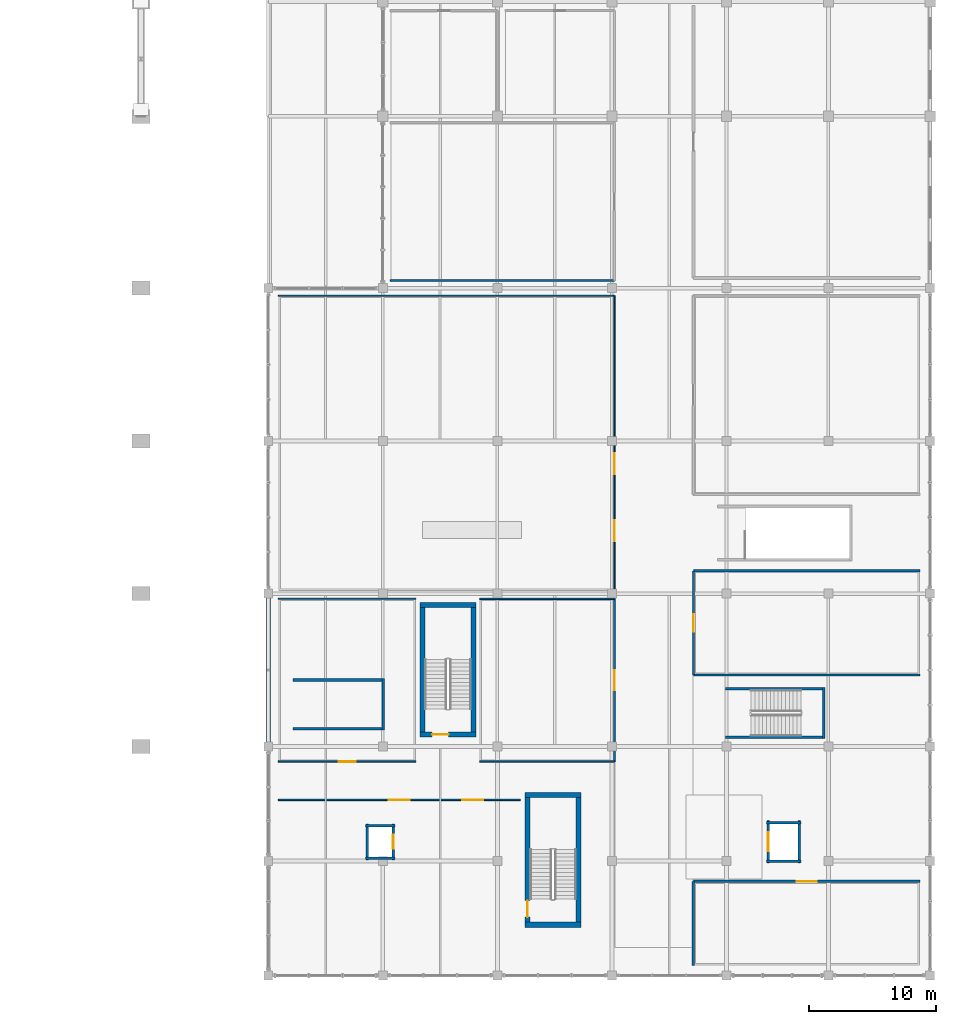
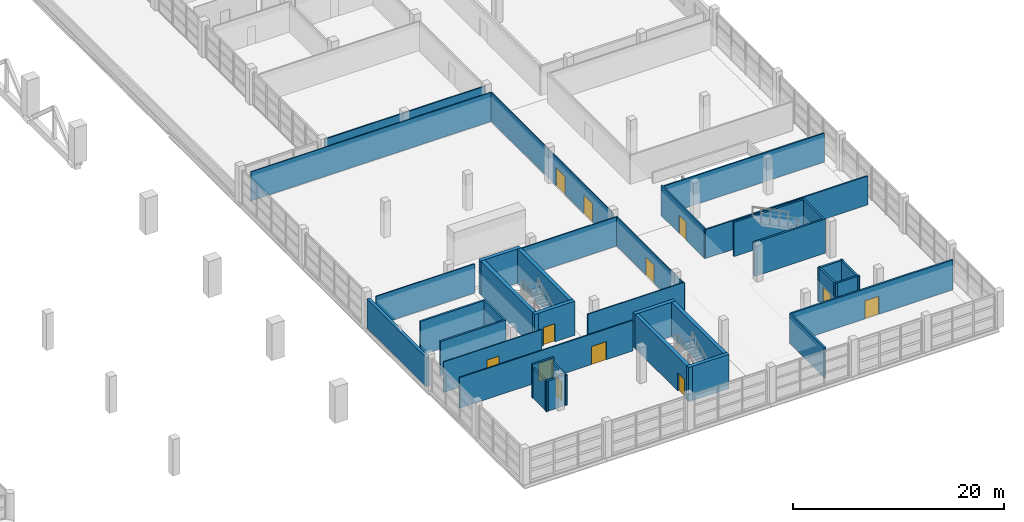
# One storey, part 120 of 136: 37 walls, 12 doors, 12 openings.
"""IFC4 building model written with IfcOpenShell, lengths in metres."""

import ifcopenshell
import ifcopenshell.guid

model = None  # the IFC model being written
_history = None  # IfcOwnerHistory: only IFC2X3 demands one
_inside = {}  # id of a spatial element -> (the spatial element, [elements in it])
_under = {}  # id of a project, library or spatial element -> (it, [spatial elements below it])
_declared = {}  # id of a project -> (the project, [libraries it declares])
_typed = {}  # id of a type object -> (the type object, [elements of that type])
_made_of = {}  # id of a material, layer set ... -> (it, [elements and type objects made of it])


def new_model(schema):
    """Start an empty IFC model of exactly this schema.

    Asked for "IFC4X3", IfcOpenShell would pick the latest addendum, in which some entities
    have other attributes; the version numbers below select the first issue.
    IFC2X3 requires an IfcOwnerHistory on every rooted entity: one is made here for all.
    """
    global model, _history
    if schema == "IFC4X3":
        model = ifcopenshell.file(schema_version=(4, 3, 0, 0))
    else:
        model = ifcopenshell.file(schema=schema)
    _inside.clear()
    _under.clear()
    _declared.clear()
    _typed.clear()
    _made_of.clear()
    _history = None
    if model.schema == "IFC2X3":
        org = make("IfcOrganization", Name="unknown")
        user = make(
            "IfcPersonAndOrganization",
            ThePerson=make("IfcPerson", FamilyName="unknown"),
            TheOrganization=org,
        )
        app = make(
            "IfcApplication",
            ApplicationDeveloper=org,
            Version="unknown",
            ApplicationFullName="unknown",
            ApplicationIdentifier="unknown",
        )
        _history = make(
            "IfcOwnerHistory",
            OwningUser=user,
            OwningApplication=app,
            ChangeAction="ADDED",
            CreationDate=0,
        )
    return model


def make(cls, **values):
    """One entity of the class cls with the attributes given. An attribute that is None is left unset."""
    return model.create_entity(
        cls, **{name: value for name, value in values.items() if value is not None}
    )


def rooted(cls, **values):
    """An entity with a GlobalId (a new one), such as an element, a storey or a relation."""
    return make(cls, GlobalId=ifcopenshell.guid.new(), OwnerHistory=_history, **values)


def si_unit(unit_type, name, prefix=None):
    """IfcSIUnit, for example si_unit("LENGTHUNIT", "METRE", prefix="MILLI")."""
    return make("IfcSIUnit", UnitType=unit_type, Prefix=prefix, Name=name)


def assignment(units):
    """IfcUnitAssignment: the units of a project."""
    return None if units is None else make("IfcUnitAssignment", Units=units)


def point(xyz):
    """IfcCartesianPoint."""
    return None if xyz is None else make("IfcCartesianPoint", Coordinates=xyz)


def direction(xyz):
    """IfcDirection."""
    return None if xyz is None else make("IfcDirection", DirectionRatios=xyz)


def frame(location, z_axis=None, x_axis=None):
    """IfcAxis2Placement3D, a coordinate frame: its origin and axes. An axis left out is left unset."""
    return make(
        "IfcAxis2Placement3D",
        Location=point(location),
        Axis=direction(z_axis),
        RefDirection=direction(x_axis),
    )


def frame_2d(location, x_axis=None):
    """IfcAxis2Placement2D, a coordinate frame in the plane: its origin and x axis."""
    return make(
        "IfcAxis2Placement2D", Location=point(location), RefDirection=direction(x_axis)
    )


def origin():
    """The frame at (0, 0, 0) with its axes left unset."""
    return frame((0.0, 0.0, 0.0))


def place(relative_to, where):
    """IfcLocalPlacement: puts the frame where relative to a parent placement (None: the world)."""
    return make(
        "IfcLocalPlacement", PlacementRelTo=relative_to, RelativePlacement=where
    )


def context(
    kind, dimensions, precision=None, world=None, true_north=None, identifier=None
):
    """IfcGeometricRepresentationContext, for example the 3D "Model" context."""
    return make(
        "IfcGeometricRepresentationContext",
        ContextIdentifier=identifier,
        ContextType=kind,
        CoordinateSpaceDimension=dimensions,
        Precision=precision,
        WorldCoordinateSystem=world,
        TrueNorth=true_north,
    )


def subcontext(parent, identifier, kind, view, scale=None):
    """IfcGeometricRepresentationSubContext, for example "Body" below "Model"."""
    return make(
        "IfcGeometricRepresentationSubContext",
        ContextIdentifier=identifier,
        ContextType=kind,
        ParentContext=parent,
        TargetScale=scale,
        TargetView=view,
    )


def project(units=None, contexts=None):
    """IfcProject with its units and contexts."""
    return rooted(
        "IfcProject",
        Name="project",
        RepresentationContexts=contexts,
        UnitsInContext=assignment(units),
    )


def spatial(cls, under=None, at=None, **own):
    """A site, building, storey or space (cls), placed at a placement, below another one or the project."""
    s = rooted(cls, ObjectPlacement=at, **own)
    if under is not None:
        _under.setdefault(under.id(), (under, []))[1].append(s)
    return s


def profile(cls, at=None, kind="AREA", **sizes):
    """A parametric profile (cls). Its sizes go by their IFC names, for example OverallWidth=200.0."""
    return make(cls, ProfileType=kind, Position=at, **sizes)


def rectangle(**sizes):
    """IfcRectangleProfileDef."""
    return profile("IfcRectangleProfileDef", **sizes)


def extrude(swept, where, along, depth):
    """IfcExtrudedAreaSolid: the profile swept, set in the frame where, extruded along a direction by depth."""
    return make(
        "IfcExtrudedAreaSolid",
        SweptArea=swept,
        Position=where,
        ExtrudedDirection=direction(along),
        Depth=depth,
    )


def shape(context_of_items, identifier, shape_type, items):
    """IfcShapeRepresentation: the items that make up one representation, for example the "Body"."""
    return make(
        "IfcShapeRepresentation",
        ContextOfItems=context_of_items,
        RepresentationIdentifier=identifier,
        RepresentationType=shape_type,
        Items=items,
    )


def material(Name=None, Category=None):
    """IfcMaterial."""
    return make("IfcMaterial", Name=Name, Category=Category)


def layer(
    of_material, thickness, ventilated=None, Name=None, Category=None, Priority=None
):
    """IfcMaterialLayer: one layer of a wall or slab, of a material (None: an air gap)."""
    return make(
        "IfcMaterialLayer",
        Material=of_material,
        LayerThickness=thickness,
        IsVentilated=ventilated,
        Name=Name,
        Category=Category,
        Priority=Priority,
    )


def layer_set(layers, Name=None):
    """IfcMaterialLayerSet."""
    return make("IfcMaterialLayerSet", MaterialLayers=layers, LayerSetName=Name)


def made_of(thing, what):
    """Note that an element or type object is made of a material, layer set ...; save() writes the relation."""
    if what is not None:
        _made_of.setdefault(what.id(), (what, []))[1].append(thing)
    return thing


def type_object(cls, material=None, **own):
    """A type object (cls), such as IfcWallType, which elements share."""
    return made_of(rooted(cls, **own), material)


def element(
    cls,
    number,
    at=None,
    inside=None,
    cuts=None,
    type_object=None,
    material=None,
    context=None,
    identifier="Body",
    shape_type=None,
    held_by="IfcProductDefinitionShape",
    body=None,
    shapes=None,
    **own,
):
    """One element of the class cls, such as IfcWall. Its Tag is "e" and its number.

    at: its placement. inside: the storey or other place that contains it. cuts: it is an
    opening in that element (IfcRelVoidsElement). A single representation is given by context,
    identifier, shape_type and body (its items); several are given by shapes. held_by: the class
    of the entity that holds the representations. save() writes the other relations.
    """
    e = rooted(cls, Tag="e%d" % number, ObjectPlacement=at, **own)
    if body is not None:
        shapes = [shape(context, identifier, shape_type, body)]
    if shapes is not None:
        e.Representation = make(held_by, Representations=shapes)
    if inside is not None:
        _inside.setdefault(inside.id(), (inside, []))[1].append(e)
    if cuts is not None:
        rooted(
            "IfcRelVoidsElement", RelatingBuildingElement=cuts, RelatedOpeningElement=e
        )
    if type_object is not None:
        _typed.setdefault(type_object.id(), (type_object, []))[1].append(e)
    return made_of(e, material)


def fill(opening, filler):
    """IfcRelFillsElement: the door or window that sits in an opening."""
    return rooted(
        "IfcRelFillsElement",
        RelatingOpeningElement=opening,
        RelatedBuildingElement=filler,
    )


def aggregate(whole, parts):
    """IfcRelAggregates: a whole, such as a stair, and the parts it consists of."""
    return rooted("IfcRelAggregates", RelatingObject=whole, RelatedObjects=parts)


def save(model, path):
    """Write the relations noted so far, then the file.

    IfcRelAggregates (storeys below a building ...), IfcRelContainedInSpatialStructure (elements
    in a storey), IfcRelDefinesByType, IfcRelAssociatesMaterial and IfcRelDeclares: one each for
    every whole, place, type object, material and project.
    """
    for whole, parts in _under.values():
        aggregate(whole, parts)
    for where, things in _inside.values():
        rooted(
            "IfcRelContainedInSpatialStructure",
            RelatedElements=things,
            RelatingStructure=where,
        )
    for kind, things in _typed.values():
        rooted("IfcRelDefinesByType", RelatedObjects=things, RelatingType=kind)
    for what, things in _made_of.values():
        rooted("IfcRelAssociatesMaterial", RelatedObjects=things, RelatingMaterial=what)
    for by, libraries in _declared.values():
        rooted("IfcRelDeclares", RelatingContext=by, RelatedDefinitions=libraries)
    model.write(path)


model = new_model("IFC4")

# Units and contexts
model_context = context("Model", 3, precision=1e-05, world=origin(), true_north=direction((0.0, 1.0)))
body_context = subcontext(model_context, "Body", "Model", "MODEL_VIEW")
ifc_project = project(units=[si_unit("LENGTHUNIT", "METRE"), si_unit("AREAUNIT", "SQUARE_METRE"), si_unit("VOLUMEUNIT", "CUBIC_METRE"), si_unit("PLANEANGLEUNIT", "RADIAN"), si_unit("MASSUNIT", "GRAM", prefix="KILO")], contexts=[model_context])

# Site, building, storey
site_placement = place(None, origin())
site = spatial("IfcSite", under=ifc_project, at=site_placement, CompositionType="ELEMENT")
building_placement = place(site_placement, origin())
building = spatial("IfcBuilding", under=site, at=building_placement, Name="Chuanluo Vaults Station", CompositionType="ELEMENT")
storey_placement = place(building_placement, frame((0.0, 0.0, 6.60009765625)))
storey = spatial("IfcBuildingStorey", under=building, at=storey_placement, Name="L01", CompositionType="ELEMENT", Elevation=6.60009765625)

# Walls
ifc_material_1 = material(Name="Concrete C50", Category="concrete")
ifc_layer_1 = layer(ifc_material_1, 0.39990234375)
ifc_layer_set_1 = layer_set([ifc_layer_1], Name="Concrete C50")
wall_type_1 = type_object("IfcWallType", Name="WL-COR-400", PredefinedType="SHEAR", material=ifc_layer_set_1)
for number, where, z_axis, x_axis, name in (
    (1, (152.137451171875, 18.72509765625, 0.0), (0.0, 0.0, 1.0), (0.0, 1.0, 0.0), "Core K4 left shear wall"),
    (2, (148.117431640625, 29.322509765625, 0.0), (0.0, 0.0, 1.0), (0.0, -1.0, 0.0), "Core K4 right shear wall"),
):
    element("IfcWall", number, at=place(storey_placement, frame(where, z_axis=z_axis, x_axis=x_axis)), inside=storey, type_object=wall_type_1, Name=name, PredefinedType="SHEAR", context=body_context, shape_type="SweptSolid", body=[
        extrude(rectangle(XDim=10.597412109375, YDim=0.39990234375, at=frame_2d((5.298828125, 0.0))), origin(), (0.0, 0.0, 1.0), 3.9599609375),
    ])
wall_1_placement = place(storey_placement, frame((152.33740234375, 29.12255859375, 0.0), z_axis=(0.0, 0.0, 1.0), x_axis=(-1.0, 0.0, 0.0)))
element("IfcWall", 3, at=wall_1_placement, inside=storey, type_object=wall_type_1, Name="Core K4 far shear wall", PredefinedType="SHEAR", context=body_context, shape_type="SweptSolid", body=[
    extrude(rectangle(XDim=4.419921875, YDim=0.39990234375, at=frame_2d((2.2099609375, 0.0))), origin(), (0.0, 0.0, 1.0), 3.9599609375),
])

# Wall, opening, door
wall_2_placement = place(storey_placement, frame((147.91748046875, 18.925048828125, 0.0), z_axis=(0.0, 0.0, 1.0), x_axis=(1.0, 0.0, 0.0)))
wall_2 = element("IfcWall", 4, at=wall_2_placement, inside=storey, type_object=wall_type_1, Name="Core K4 near shear wall", PredefinedType="SHEAR", context=body_context, shape_type="SweptSolid", body=[
    extrude(rectangle(XDim=4.419921875, YDim=0.39990234375, at=frame_2d((2.2099609375, 0.0))), origin(), (0.0, 0.0, 1.0), 3.9599609375),
])
opening_1_placement = place(wall_2_placement, frame((0.949951171875, 0.0, 0.0)))
opening_1 = element("IfcOpeningElement", 5, at=opening_1_placement, cuts=wall_2, Name="Opening FD-05", PredefinedType="OPENING", context=body_context, shape_type="SweptSolid", body=[
    extrude(rectangle(XDim=1.300048828125, YDim=2.10009765625, at=frame_2d((0.64990234375, 1.050048828125))), frame((0.0, 0.20995, 0.0), z_axis=(0.0, -1.0, 0.0), x_axis=(1.0, 0.0, 0.0)), (0.0, 0.0, 1.0), 0.4199),
])
ifc_material_2 = material(Name="Fire-rated steel leaf", Category="steel")
door_type_1 = type_object("IfcDoorType", Name="DR-FIR-1300x2100", OperationType="NOTDEFINED", PredefinedType="DOOR", material=ifc_material_2)
door_1_placement = place(opening_1_placement, origin())
door_1 = element("IfcDoor", 6, at=door_1_placement, inside=storey, type_object=door_type_1, Name="D-081 Stair ST-04 fire door", OperationType="SINGLE_SWING_RIGHT", OverallHeight=2.10009765625, OverallWidth=1.300048828125, PredefinedType="DOOR", context=body_context, shape_type="SweptSolid", body=[
    extrude(rectangle(XDim=1.300048828125, YDim=2.10009765625, at=frame_2d((0.64990234375, 1.050048828125))), frame((0.0, 0.02490234375, 0.0), z_axis=(0.0, -1.0, 0.0), x_axis=(1.0, 0.0, 0.0)), (0.0, 0.0, 1.0), 0.050048828125),
])
fill(opening_1, door_1)

# Wall
wall_3_placement = place(storey_placement, frame((160.387451171875, 3.78759765625, 0.0), z_axis=(0.0, 0.0, 1.0), x_axis=(0.0, 1.0, 0.0)))
element("IfcWall", 7, at=wall_3_placement, inside=storey, type_object=wall_type_1, Name="Core K5 left shear wall", PredefinedType="SHEAR", context=body_context, shape_type="SweptSolid", body=[
    extrude(rectangle(XDim=10.597412109375, YDim=0.39990234375, at=frame_2d((5.298828125, 0.0))), origin(), (0.0, 0.0, 1.0), 3.9599609375),
])

# Wall, opening, door
wall_4_placement = place(storey_placement, frame((156.367431640625, 14.385009765625, 0.0), z_axis=(0.0, 0.0, 1.0), x_axis=(0.0, -1.0, 0.0)))
wall_4 = element("IfcWall", 8, at=wall_4_placement, inside=storey, type_object=wall_type_1, Name="Core K5 right shear wall", PredefinedType="SHEAR", context=body_context, shape_type="SweptSolid", body=[
    extrude(rectangle(XDim=10.597412109375, YDim=0.39990234375, at=frame_2d((5.298828125, 0.0))), origin(), (0.0, 0.0, 1.0), 3.9599609375),
])
opening_2_placement = place(wall_4_placement, frame((8.49755859375, 0.0, 0.0)))
opening_2 = element("IfcOpeningElement", 9, at=opening_2_placement, cuts=wall_4, Name="Opening FD-05", PredefinedType="OPENING", context=body_context, shape_type="SweptSolid", body=[
    extrude(rectangle(XDim=1.300048828125, YDim=2.10009765625, at=frame_2d((0.64990234375, 1.050048828125))), frame((0.0, 0.20995, 0.0), z_axis=(0.0, -1.0, 0.0), x_axis=(1.0, 0.0, 0.0)), (0.0, 0.0, 1.0), 0.4199),
])
door_2_placement = place(opening_2_placement, origin())
door_2 = element("IfcDoor", 10, at=door_2_placement, inside=storey, type_object=door_type_1, Name="D-086 Stair ST-05 fire door", OperationType="SINGLE_SWING_LEFT", OverallHeight=2.10009765625, OverallWidth=1.300048828125, PredefinedType="DOOR", context=body_context, shape_type="SweptSolid", body=[
    extrude(rectangle(XDim=1.300048828125, YDim=2.10009765625, at=frame_2d((0.64990234375, 1.050048828125))), frame((0.0, 0.02490234375, 0.0), z_axis=(0.0, -1.0, 0.0), x_axis=(1.0, 0.0, 0.0)), (0.0, 0.0, 1.0), 0.050048828125),
])
fill(opening_2, door_2)

# Walls
for number, where, z_axis, x_axis, name in (
    (11, (160.58740234375, 14.18505859375, 0.0), (0.0, 0.0, 1.0), (-1.0, 0.0, 0.0), "Core K5 far shear wall"),
    (12, (156.16748046875, 3.987548828125, 0.0), (0.0, 0.0, 1.0), (1.0, 0.0, 0.0), "Core K5 near shear wall"),
):
    element("IfcWall", number, at=place(storey_placement, frame(where, z_axis=z_axis, x_axis=x_axis)), inside=storey, type_object=wall_type_1, Name=name, PredefinedType="SHEAR", context=body_context, shape_type="SweptSolid", body=[
        extrude(rectangle(XDim=4.419921875, YDim=0.39990234375, at=frame_2d((2.2099609375, 0.0))), origin(), (0.0, 0.0, 1.0), 3.9599609375),
    ])
ifc_material_3 = material(Name="Concrete C40", Category="concrete")
ifc_layer_2 = layer(ifc_material_3, 0.320068359375)
ifc_layer_set_2 = layer_set([ifc_layer_2], Name="Concrete C40")
wall_type_2 = type_object("IfcWallType", Name="WL-EXT-320", PredefinedType="SOLIDWALL", material=ifc_layer_set_2)
wall_5_placement = place(storey_placement, frame((136.0, 18.35009765625, 0.0), z_axis=(0.0, 0.0, 1.0), x_axis=(0.0, 1.0, 0.0)))
element("IfcWall", 13, at=wall_5_placement, inside=storey, type_object=wall_type_2, Name="L01 exterior punched wall 01", PredefinedType="SOLIDWALL", context=body_context, shape_type="SweptSolid", body=[
    extrude(rectangle(XDim=11.2998046875, YDim=0.320068359375, at=frame_2d((5.64990234375, 0.0))), origin(), (0.0, 0.0, 1.0), 3.385009765625),
])
ifc_material_4 = material(Name="Masonry blockwork M10", Category="masonry")
ifc_layer_3 = layer(ifc_material_4, 0.10009765625)
ifc_layer_set_3 = layer_set([ifc_layer_3], Name="Masonry blockwork M10")
wall_type_3 = type_object("IfcWallType", Name="WL-PRT-100", PredefinedType="PARTITIONING", material=ifc_layer_set_3)
wall_6_placement = place(storey_placement, frame((136.800048828125, 53.39990234375, 0.0), z_axis=(0.0, 0.0, 1.0), x_axis=(1.0, 0.0, 0.0)))
element("IfcWall", 14, at=wall_6_placement, inside=storey, type_object=wall_type_3, Name="L01-09 Concourse Food Hall Seating N partition", PredefinedType="PARTITIONING", context=body_context, shape_type="SweptSolid", body=[
    extrude(rectangle(XDim=26.39990234375, YDim=0.10009765625, at=frame_2d((13.199951171875, 0.0))), origin(), (0.0, 0.0, 1.0), 3.369873046875),
])

# Wall, openings, doors
wall_7_placement = place(storey_placement, frame((163.199951171875, 53.39990234375, 0.0), z_axis=(0.0, 0.0, 1.0), x_axis=(0.0, -1.0, 0.0)))
wall_7 = element("IfcWall", 15, at=wall_7_placement, inside=storey, type_object=wall_type_3, Name="L01-09 Concourse Food Hall Seating E partition", PredefinedType="PARTITIONING", context=body_context, shape_type="SweptSolid", body=[
    extrude(rectangle(XDim=23.199951171875, YDim=0.10009765625, at=frame_2d((11.60009765625, 0.0))), origin(), (0.0, 0.0, 1.0), 3.369873046875),
])
opening_3_placement = place(wall_7_placement, frame((12.375, 0.0, 0.0)))
opening_3 = element("IfcOpeningElement", 16, at=opening_3_placement, cuts=wall_7, Name="Opening D-I02", PredefinedType="OPENING", context=body_context, shape_type="SweptSolid", body=[
    extrude(rectangle(XDim=1.64990234375, YDim=2.10009765625, at=frame_2d((0.824951171875, 1.050048828125))), frame((0.0, 0.06005, 0.0), z_axis=(0.0, -1.0, 0.0), x_axis=(1.0, 0.0, 0.0)), (0.0, 0.0, 1.0), 0.1201),
])
opening_4_placement = place(wall_7_placement, frame((17.632080078125, 0.0, 0.0)))
opening_4 = element("IfcOpeningElement", 17, at=opening_4_placement, cuts=wall_7, Name="Opening D-I02", PredefinedType="OPENING", context=body_context, shape_type="SweptSolid", body=[
    extrude(rectangle(XDim=1.64990234375, YDim=2.10009765625, at=frame_2d((0.824951171875, 1.050048828125))), frame((0.0, 0.06005, 0.0), z_axis=(0.0, -1.0, 0.0), x_axis=(1.0, 0.0, 0.0)), (0.0, 0.0, 1.0), 0.1201),
])
ifc_material_5 = material(Name="Anodised aluminium 6063-T6", Category="aluminium")
door_type_2 = type_object("IfcDoorType", Name="DR-INT-1650x2100", OperationType="NOTDEFINED", PredefinedType="DOOR", material=ifc_material_5)
door_3_placement = place(opening_3_placement, origin())
door_3 = element("IfcDoor", 18, at=door_3_placement, inside=storey, type_object=door_type_2, Name="D-183 Concourse Food Hall Seating door", OperationType="SINGLE_SWING_RIGHT", OverallHeight=2.10009765625, OverallWidth=1.64990234375, PredefinedType="DOOR", context=body_context, shape_type="SweptSolid", body=[
    extrude(rectangle(XDim=1.64990234375, YDim=2.10009765625, at=frame_2d((0.824951171875, 1.050048828125))), frame((0.0, 0.02490234375, 0.0), z_axis=(0.0, -1.0, 0.0), x_axis=(1.0, 0.0, 0.0)), (0.0, 0.0, 1.0), 0.050048828125),
])
fill(opening_3, door_3)
door_4_placement = place(opening_4_placement, origin())
door_4 = element("IfcDoor", 19, at=door_4_placement, inside=storey, type_object=door_type_2, Name="D-184 Concourse Food Hall Seating secondary exit door", OperationType="SINGLE_SWING_LEFT", OverallHeight=2.10009765625, OverallWidth=1.64990234375, PredefinedType="DOOR", context=body_context, shape_type="SweptSolid", body=[
    extrude(rectangle(XDim=1.64990234375, YDim=2.10009765625, at=frame_2d((0.824951171875, 1.050048828125))), frame((0.0, 0.02490234375, 0.0), z_axis=(0.0, -1.0, 0.0), x_axis=(1.0, 0.0, 0.0)), (0.0, 0.0, 1.0), 0.050048828125),
])
fill(opening_4, door_4)

# Wall, opening, door
ifc_material_6 = material(Name="Masonry blockwork M10", Category="masonry")
ifc_layer_4 = layer(ifc_material_6, 0.110107421875)
ifc_layer_set_4 = layer_set([ifc_layer_4], Name="Masonry blockwork M10")
wall_type_4 = type_object("IfcWallType", Name="WL-PRT-110", PredefinedType="PARTITIONING", material=ifc_layer_set_4)
wall_8_placement = place(storey_placement, frame((147.60009765625, 16.800048828125, 0.0), z_axis=(0.0, 0.0, 1.0), x_axis=(-1.0, 0.0, 0.0)))
wall_8 = element("IfcWall", 20, at=wall_8_placement, inside=storey, type_object=wall_type_4, Name="L01-08B West Departure Duty-Free Boutique S partition", PredefinedType="PARTITIONING", context=body_context, shape_type="SweptSolid", body=[
    extrude(rectangle(XDim=10.800048828125, YDim=0.110107421875, at=frame_2d((5.39990234375, 0.0))), origin(), (0.0, 0.0, 1.0), 3.544921875),
])
opening_5_placement = place(wall_8_placement, frame((4.72509765625, 0.0, 0.0)))
opening_5 = element("IfcOpeningElement", 21, at=opening_5_placement, cuts=wall_8, Name="Opening D-I04", PredefinedType="OPENING", context=body_context, shape_type="SweptSolid", body=[
    extrude(rectangle(XDim=1.35009765625, YDim=2.10009765625, at=frame_2d((0.675048828125, 1.050048828125))), frame((0.0, 0.06518, 0.0), z_axis=(0.0, -1.0, 0.0), x_axis=(1.0, 0.0, 0.0)), (0.0, 0.0, 1.0), 0.13011),
])
ifc_material_7 = material(Name="Anodised aluminium 6063-T6", Category="aluminium")
door_type_3 = type_object("IfcDoorType", Name="DR-INT-1350x2100", OperationType="NOTDEFINED", PredefinedType="DOOR", material=ifc_material_7)
door_5_placement = place(opening_5_placement, origin())
door_5 = element("IfcDoor", 22, at=door_5_placement, inside=storey, type_object=door_type_3, Name="D-182 West Departure Duty-Free Boutique door", OperationType="SINGLE_SWING_LEFT", OverallHeight=2.10009765625, OverallWidth=1.35009765625, PredefinedType="DOOR", context=body_context, shape_type="SweptSolid", body=[
    extrude(rectangle(XDim=1.35009765625, YDim=2.10009765625, at=frame_2d((0.675048828125, 1.050048828125))), frame((0.0, 0.02490234375, 0.0), z_axis=(0.0, -1.0, 0.0), x_axis=(1.0, 0.0, 0.0)), (0.0, 0.0, 1.0), 0.050048828125),
])
fill(opening_5, door_5)

# Walls
wall_9_placement = place(storey_placement, frame((136.800048828125, 29.60009765625, 0.0), z_axis=(0.0, 0.0, 1.0), x_axis=(1.0, 0.0, 0.0)))
element("IfcWall", 23, at=wall_9_placement, inside=storey, type_object=wall_type_4, Name="L01-08B West Departure Duty-Free Boutique N partition", PredefinedType="PARTITIONING", context=body_context, shape_type="SweptSolid", body=[
    extrude(rectangle(XDim=10.800048828125, YDim=0.110107421875, at=frame_2d((5.39990234375, 0.0))), origin(), (0.0, 0.0, 1.0), 3.385009765625),
])
ifc_material_8 = material(Name="Masonry blockwork M10", Category="masonry")
ifc_layer_5 = layer(ifc_material_8, 0.1201171875)
ifc_layer_set_5 = layer_set([ifc_layer_5], Name="Masonry blockwork M10")
wall_type_5 = type_object("IfcWallType", Name="WL-PRT-120", PredefinedType="PARTITIONING", material=ifc_layer_set_5)
wall_10_placement = place(storey_placement, frame((163.199951171875, 16.800048828125, 0.0), z_axis=(0.0, 0.0, 1.0), x_axis=(-1.0, 0.0, 0.0)))
element("IfcWall", 24, at=wall_10_placement, inside=storey, type_object=wall_type_5, Name="L01-08 Specialty Bookstore and Cultural Shop S partition", PredefinedType="PARTITIONING", context=body_context, shape_type="SweptSolid", body=[
    extrude(rectangle(XDim=10.599853515625, YDim=0.1201171875, at=frame_2d((5.2998046875, 0.0))), origin(), (0.0, 0.0, 1.0), 3.544921875),
])
wall_11_placement = place(storey_placement, frame((152.60009765625, 29.60009765625, 0.0), z_axis=(0.0, 0.0, 1.0), x_axis=(1.0, 0.0, 0.0)))
element("IfcWall", 25, at=wall_11_placement, inside=storey, type_object=wall_type_5, Name="L01-08 Specialty Bookstore and Cultural Shop N partition", PredefinedType="PARTITIONING", context=body_context, shape_type="SweptSolid", body=[
    extrude(rectangle(XDim=10.599853515625, YDim=0.1201171875, at=frame_2d((5.2998046875, 0.0))), origin(), (0.0, 0.0, 1.0), 3.385009765625),
])

# Wall, opening, door
wall_12_placement = place(storey_placement, frame((163.199951171875, 29.60009765625, 0.0), z_axis=(0.0, 0.0, 1.0), x_axis=(0.0, -1.0, 0.0)))
wall_12 = element("IfcWall", 26, at=wall_12_placement, inside=storey, type_object=wall_type_5, Name="L01-08 Specialty Bookstore and Cultural Shop E partition", PredefinedType="PARTITIONING", context=body_context, shape_type="SweptSolid", body=[
    extrude(rectangle(XDim=12.800048828125, YDim=0.1201171875, at=frame_2d((6.39990234375, 0.0))), origin(), (0.0, 0.0, 1.0), 3.385009765625),
])
opening_6_placement = place(wall_12_placement, frame((5.625, 0.0, 0.0)))
opening_6 = element("IfcOpeningElement", 27, at=opening_6_placement, cuts=wall_12, Name="Opening D-I03", PredefinedType="OPENING", context=body_context, shape_type="SweptSolid", body=[
    extrude(rectangle(XDim=1.550048828125, YDim=2.10009765625, at=frame_2d((0.77490234375, 1.050048828125))), frame((0.0, 0.07006, 0.0), z_axis=(0.0, -1.0, 0.0), x_axis=(1.0, 0.0, 0.0)), (0.0, 0.0, 1.0), 0.14012),
])
ifc_material_9 = material(Name="Anodised aluminium 6063-T6", Category="aluminium")
door_type_4 = type_object("IfcDoorType", Name="DR-INT-1550x2100", OperationType="NOTDEFINED", PredefinedType="DOOR", material=ifc_material_9)
door_6_placement = place(opening_6_placement, origin())
door_6 = element("IfcDoor", 28, at=door_6_placement, inside=storey, type_object=door_type_4, Name="D-181 Specialty Bookstore and Cultural Shop door", OperationType="SINGLE_SWING_RIGHT", OverallHeight=2.10009765625, OverallWidth=1.550048828125, PredefinedType="DOOR", context=body_context, shape_type="SweptSolid", body=[
    extrude(rectangle(XDim=1.550048828125, YDim=2.10009765625, at=frame_2d((0.77490234375, 1.050048828125))), frame((0.0, 0.02490234375, 0.0), z_axis=(0.0, -1.0, 0.0), x_axis=(1.0, 0.0, 0.0)), (0.0, 0.0, 1.0), 0.050048828125),
])
fill(opening_6, door_6)

# Wall, openings, doors
ifc_material_10 = material(Name="Masonry blockwork M10", Category="masonry")
ifc_layer_6 = layer(ifc_material_10, 0.1298828125)
ifc_layer_set_6 = layer_set([ifc_layer_6], Name="Masonry blockwork M10")
wall_type_6 = type_object("IfcWallType", Name="WL-PRT-130", PredefinedType="PARTITIONING", material=ifc_layer_set_6)
wall_13_placement = place(storey_placement, frame((136.800048828125, 13.800048828125, 0.0), z_axis=(0.0, 0.0, 1.0), x_axis=(1.0, 0.0, 0.0)))
wall_13 = element("IfcWall", 29, at=wall_13_placement, inside=storey, type_object=wall_type_6, Name="L01-07 Regional Noodle and Dim Sum Kitchen N partition", PredefinedType="PARTITIONING", context=body_context, shape_type="SweptSolid", body=[
    extrude(rectangle(XDim=19.0, YDim=0.1298828125, at=frame_2d((9.5, 0.0))), origin(), (0.0, 0.0, 1.0), 3.544921875),
])
opening_7_placement = place(wall_13_placement, frame((8.675048828125, 0.0, 0.0)))
opening_7 = element("IfcOpeningElement", 30, at=opening_7_placement, cuts=wall_13, Name="Opening D-I02", PredefinedType="OPENING", context=body_context, shape_type="SweptSolid", body=[
    extrude(rectangle(XDim=1.64990234375, YDim=2.10009765625, at=frame_2d((0.824951171875, 1.050048828125))), frame((0.0, 0.07494, 0.0), z_axis=(0.0, -1.0, 0.0), x_axis=(1.0, 0.0, 0.0)), (0.0, 0.0, 1.0), 0.14988),
])
opening_8_placement = place(wall_13_placement, frame((14.43994140625, 0.0, 0.0)))
opening_8 = element("IfcOpeningElement", 31, at=opening_8_placement, cuts=wall_13, Name="Opening D-I02", PredefinedType="OPENING", context=body_context, shape_type="SweptSolid", body=[
    extrude(rectangle(XDim=1.64990234375, YDim=2.10009765625, at=frame_2d((0.824951171875, 1.050048828125))), frame((0.0, 0.07494, 0.0), z_axis=(0.0, -1.0, 0.0), x_axis=(1.0, 0.0, 0.0)), (0.0, 0.0, 1.0), 0.14988),
])
door_7_placement = place(opening_7_placement, origin())
door_7 = element("IfcDoor", 32, at=door_7_placement, inside=storey, type_object=door_type_2, Name="D-179 Regional Noodle and Dim Sum Kitchen door", OperationType="SINGLE_SWING_RIGHT", OverallHeight=2.10009765625, OverallWidth=1.64990234375, PredefinedType="DOOR", context=body_context, shape_type="SweptSolid", body=[
    extrude(rectangle(XDim=1.64990234375, YDim=2.10009765625, at=frame_2d((0.824951171875, 1.050048828125))), frame((0.0, 0.02490234375, 0.0), z_axis=(0.0, -1.0, 0.0), x_axis=(1.0, 0.0, 0.0)), (0.0, 0.0, 1.0), 0.050048828125),
])
fill(opening_7, door_7)
door_8_placement = place(opening_8_placement, origin())
door_8 = element("IfcDoor", 33, at=door_8_placement, inside=storey, type_object=door_type_2, Name="D-180 Regional Noodle and Dim Sum Kitchen secondary exit door", OperationType="SINGLE_SWING_LEFT", OverallHeight=2.10009765625, OverallWidth=1.64990234375, PredefinedType="DOOR", context=body_context, shape_type="SweptSolid", body=[
    extrude(rectangle(XDim=1.64990234375, YDim=2.10009765625, at=frame_2d((0.824951171875, 1.050048828125))), frame((0.0, 0.02490234375, 0.0), z_axis=(0.0, -1.0, 0.0), x_axis=(1.0, 0.0, 0.0)), (0.0, 0.0, 1.0), 0.050048828125),
])
fill(opening_8, door_8)

# Walls
ifc_material_11 = material(Name="Autoclaved aerated concrete blockwork MU10", Category="masonry")
ifc_layer_7 = layer(ifc_material_11, 0.139892578125)
ifc_layer_set_7 = layer_set([ifc_layer_7], Name="Autoclaved aerated concrete blockwork MU10")
wall_type_7 = type_object("IfcWallType", Name="WL-PRT-140", PredefinedType="PARTITIONING", material=ifc_layer_set_7)
wall_14_placement = place(storey_placement, frame((163.199951171875, 54.60009765625, 0.0), z_axis=(0.0, 0.0, 1.0), x_axis=(-1.0, 0.0, 0.0)))
element("IfcWall", 34, at=wall_14_placement, inside=storey, type_object=wall_type_7, Name="L01-12 Nursing and Family Care Suite S partition", PredefinedType="PARTITIONING", context=body_context, shape_type="SweptSolid", body=[
    extrude(rectangle(XDim=17.599853515625, YDim=0.139892578125, at=frame_2d((8.7998046875, 0.0))), origin(), (0.0, 0.0, 1.0), 3.369873046875),
])
ifc_material_12 = material(Name="Autoclaved aerated concrete blockwork MU10", Category="masonry")
ifc_layer_8 = layer(ifc_material_12, 0.159912109375)
ifc_layer_set_8 = layer_set([ifc_layer_8], Name="Autoclaved aerated concrete blockwork MU10")
wall_type_8 = type_object("IfcWallType", Name="WL-PRT-160", PredefinedType="PARTITIONING", material=ifc_layer_set_8)
for number, where, z_axis, x_axis, name in (
    (35, (187.199951171875, 23.60009765625, 0.0), (0.0, 0.0, 1.0), (-1.0, 0.0, 0.0), "L01-10C East Mezzanine Tea Salon S partition"),
    (36, (169.39990234375, 31.800048828125, 0.0), (0.0, 0.0, 1.0), (1.0, 0.0, 0.0), "L01-10C East Mezzanine Tea Salon N partition"),
):
    element("IfcWall", number, at=place(storey_placement, frame(where, z_axis=z_axis, x_axis=x_axis)), inside=storey, type_object=wall_type_8, Name=name, PredefinedType="PARTITIONING", context=body_context, shape_type="SweptSolid", body=[
        extrude(rectangle(XDim=17.800048828125, YDim=0.159912109375, at=frame_2d((8.89990234375, 0.0))), origin(), (0.0, 0.0, 1.0), 3.344970703125),
    ])

# Wall, opening, door
wall_15_placement = place(storey_placement, frame((169.39990234375, 23.60009765625, 0.0), z_axis=(0.0, 0.0, 1.0), x_axis=(0.0, 1.0, 0.0)))
wall_15 = element("IfcWall", 37, at=wall_15_placement, inside=storey, type_object=wall_type_8, Name="L01-10C East Mezzanine Tea Salon W partition", PredefinedType="PARTITIONING", context=body_context, shape_type="SweptSolid", body=[
    extrude(rectangle(XDim=8.199951171875, YDim=0.159912109375, at=frame_2d((4.10009765625, 0.0))), origin(), (0.0, 0.0, 1.0), 3.494873046875),
])
opening_9_placement = place(wall_15_placement, frame((3.425048828125, 0.0, 0.0)))
opening_9 = element("IfcOpeningElement", 38, at=opening_9_placement, cuts=wall_15, Name="Opening D-I04", PredefinedType="OPENING", context=body_context, shape_type="SweptSolid", body=[
    extrude(rectangle(XDim=1.35009765625, YDim=2.10009765625, at=frame_2d((0.675048828125, 1.050048828125))), frame((0.0, 0.09008, 0.0), z_axis=(0.0, -1.0, 0.0), x_axis=(1.0, 0.0, 0.0)), (0.0, 0.0, 1.0), 0.17991),
])
door_9_placement = place(opening_9_placement, origin())
door_9 = element("IfcDoor", 39, at=door_9_placement, inside=storey, type_object=door_type_3, Name="D-186 East Mezzanine Tea Salon door", OperationType="SINGLE_SWING_LEFT", OverallHeight=2.10009765625, OverallWidth=1.35009765625, PredefinedType="DOOR", context=body_context, shape_type="SweptSolid", body=[
    extrude(rectangle(XDim=1.35009765625, YDim=2.10009765625, at=frame_2d((0.675048828125, 1.050048828125))), frame((0.0, 0.02490234375, 0.0), z_axis=(0.0, -1.0, 0.0), x_axis=(1.0, 0.0, 0.0)), (0.0, 0.0, 1.0), 0.050048828125),
])
fill(opening_9, door_9)

ifc_material_13 = material(Name="Autoclaved aerated concrete blockwork MU10", Category="masonry")
ifc_layer_9 = layer(ifc_material_13, 0.18994140625)
ifc_layer_set_9 = layer_set([ifc_layer_9], Name="Autoclaved aerated concrete blockwork MU10")
wall_type_9 = type_object("IfcWallType", Name="WL-PRT-190", PredefinedType="PARTITIONING", material=ifc_layer_set_9)
wall_16_placement = place(storey_placement, frame((169.39990234375, 7.39990234375, 0.0), z_axis=(0.0, 0.0, 1.0), x_axis=(1.0, 0.0, 0.0)))
wall_16 = element("IfcWall", 40, at=wall_16_placement, inside=storey, type_object=wall_type_9, Name="L01-10 Traveller Cafe and Pastry Lounge N partition", PredefinedType="PARTITIONING", context=body_context, shape_type="SweptSolid", body=[
    extrude(rectangle(XDim=17.800048828125, YDim=0.18994140625, at=frame_2d((8.89990234375, 0.0))), origin(), (0.0, 0.0, 1.0), 3.46484375),
])
opening_10_placement = place(wall_16_placement, frame((8.125, 0.0, 0.0)))
opening_10 = element("IfcOpeningElement", 41, at=opening_10_placement, cuts=wall_16, Name="Opening D-I03", PredefinedType="OPENING", context=body_context, shape_type="SweptSolid", body=[
    extrude(rectangle(XDim=1.550048828125, YDim=2.10009765625, at=frame_2d((0.77490234375, 1.050048828125))), frame((0.0, 0.10497, 0.0), z_axis=(0.0, -1.0, 0.0), x_axis=(1.0, 0.0, 0.0)), (0.0, 0.0, 1.0), 0.20994),
])
door_10_placement = place(opening_10_placement, origin())
door_10 = element("IfcDoor", 42, at=door_10_placement, inside=storey, type_object=door_type_4, Name="D-185 Traveller Cafe and Pastry Lounge door", OperationType="SINGLE_SWING_RIGHT", OverallHeight=2.10009765625, OverallWidth=1.550048828125, PredefinedType="DOOR", context=body_context, shape_type="SweptSolid", body=[
    extrude(rectangle(XDim=1.550048828125, YDim=2.10009765625, at=frame_2d((0.77490234375, 1.050048828125))), frame((0.0, 0.02490234375, 0.0), z_axis=(0.0, -1.0, 0.0), x_axis=(1.0, 0.0, 0.0)), (0.0, 0.0, 1.0), 0.050048828125),
])
fill(opening_10, door_10)

# Walls
wall_17_placement = place(storey_placement, frame((169.39990234375, 0.800048828125, 0.0), z_axis=(0.0, 0.0, 1.0), x_axis=(0.0, 1.0, 0.0)))
element("IfcWall", 43, at=wall_17_placement, inside=storey, type_object=wall_type_9, Name="L01-10 Traveller Cafe and Pastry Lounge W partition", PredefinedType="PARTITIONING", context=body_context, shape_type="SweptSolid", body=[
    extrude(rectangle(XDim=6.599853515625, YDim=0.18994140625, at=frame_2d((3.2998046875, 0.0))), origin(), (0.0, 0.0, 1.0), 3.474853515625),
])
ifc_material_14 = material(Name="Concrete C40", Category="concrete")
ifc_layer_10 = layer(ifc_material_14, 0.199951171875)
ifc_layer_set_10 = layer_set([ifc_layer_10], Name="Concrete C40")
wall_type_10 = type_object("IfcWallType", Name="WL-SHF-200", PredefinedType="SOLIDWALL", material=ifc_layer_set_10)
for number, where, z_axis, x_axis, name in (
    (44, (171.925048828125, 18.71240234375, 0.0), (0.0, 0.0, 1.0), (1.0, 0.0, 0.0), "Stair ST-27 south shaft wall L01"),
    (45, (179.722412109375, 22.532470703125, 0.0), (0.0, 0.0, 1.0), (-1.0, 0.0, 0.0), "Stair ST-27 north shaft wall L01"),
):
    element("IfcWall", number, at=place(storey_placement, frame(where, z_axis=z_axis, x_axis=x_axis)), inside=storey, type_object=wall_type_10, Name=name, PredefinedType="SOLIDWALL", context=body_context, shape_type="SweptSolid", body=[
        extrude(rectangle(XDim=7.79736328125, YDim=0.199951171875, at=frame_2d((3.898681640625, 0.0))), origin(), (0.0, 0.0, 1.0), 3.9599609375),
    ])
wall_18_placement = place(storey_placement, frame((179.62255859375, 18.612548828125, 0.0), z_axis=(0.0, 0.0, 1.0), x_axis=(0.0, 1.0, 0.0)))
element("IfcWall", 46, at=wall_18_placement, inside=storey, type_object=wall_type_10, Name="Stair ST-27 far shaft wall L01", PredefinedType="SOLIDWALL", context=body_context, shape_type="SweptSolid", body=[
    extrude(rectangle(XDim=4.02001953125, YDim=0.199951171875, at=frame_2d((2.010009765625, 0.0))), origin(), (0.0, 0.0, 1.0), 3.9599609375),
])
for number, where, z_axis, x_axis, name in (
    (47, (137.925048828125, 19.39990234375, 0.0), (0.0, 0.0, 1.0), (1.0, 0.0, 0.0), "Stair ST-28 south shaft wall L01"),
    (48, (145.12255859375, 23.219970703125, 0.0), (0.0, 0.0, 1.0), (-1.0, 0.0, 0.0), "Stair ST-28 north shaft wall L01"),
):
    element("IfcWall", number, at=place(storey_placement, frame(where, z_axis=z_axis, x_axis=x_axis)), inside=storey, type_object=wall_type_10, Name=name, PredefinedType="SOLIDWALL", context=body_context, shape_type="SweptSolid", body=[
        extrude(rectangle(XDim=7.197509765625, YDim=0.199951171875, at=frame_2d((3.5986328125, 0.0))), origin(), (0.0, 0.0, 1.0), 3.9599609375),
    ])
wall_19_placement = place(storey_placement, frame((145.0224609375, 19.300048828125, 0.0), z_axis=(0.0, 0.0, 1.0), x_axis=(0.0, 1.0, 0.0)))
element("IfcWall", 49, at=wall_19_placement, inside=storey, type_object=wall_type_10, Name="Stair ST-28 far shaft wall L01", PredefinedType="SOLIDWALL", context=body_context, shape_type="SweptSolid", body=[
    extrude(rectangle(XDim=4.02001953125, YDim=0.199951171875, at=frame_2d((2.010009765625, 0.0))), origin(), (0.0, 0.0, 1.0), 3.9599609375),
])
wall_20_placement = place(storey_placement, frame((143.6298828125, 9.22998046875, 0.0), z_axis=(0.0, 0.0, 1.0), x_axis=(1.0, 0.0, 0.0)))
element("IfcWall", 50, at=wall_20_placement, inside=storey, type_object=wall_type_10, Name="Lift EL-02 shaft wall L01 -Y", PredefinedType="SOLIDWALL", context=body_context, shape_type="SweptSolid", body=[
    extrude(rectangle(XDim=2.340087890625, YDim=0.199951171875, at=frame_2d((1.169921875, 0.0))), origin(), (0.0, 0.0, 1.0), 3.494873046875),
])
wall_21_placement = place(storey_placement, frame((145.969970703125, 11.77001953125, 0.0), z_axis=(0.0, 0.0, 1.0), x_axis=(-1.0, 0.0, 0.0)))
element("IfcWall", 51, at=wall_21_placement, inside=storey, type_object=wall_type_10, Name="Lift EL-02 shaft wall L01 +Y", PredefinedType="SOLIDWALL", context=body_context, shape_type="SweptSolid", body=[
    extrude(rectangle(XDim=2.340087890625, YDim=0.199951171875, at=frame_2d((1.169921875, 0.0))), origin(), (0.0, 0.0, 1.0), 3.934814453125),
])
wall_22_placement = place(storey_placement, frame((143.780029296875, 11.919921875, 0.0), z_axis=(0.0, 0.0, 1.0), x_axis=(0.0, -1.0, 0.0)))
element("IfcWall", 52, at=wall_22_placement, inside=storey, type_object=wall_type_10, Name="Lift EL-02 shaft wall L01 -X", PredefinedType="SOLIDWALL", context=body_context, shape_type="SweptSolid", body=[
    extrude(rectangle(XDim=2.83984375, YDim=0.199951171875, at=frame_2d((1.419921875, 0.0))), origin(), (0.0, 0.0, 1.0), 3.494873046875),
])

# Wall, opening, door
wall_23_placement = place(storey_placement, frame((145.820068359375, 9.080078125, 0.0), z_axis=(0.0, 0.0, 1.0), x_axis=(0.0, 1.0, 0.0)))
wall_23 = element("IfcWall", 53, at=wall_23_placement, inside=storey, type_object=wall_type_10, Name="Lift EL-02 shaft wall L01 +X", PredefinedType="SOLIDWALL", context=body_context, shape_type="SweptSolid", body=[
    extrude(rectangle(XDim=2.83984375, YDim=0.199951171875, at=frame_2d((1.419921875, 0.0))), origin(), (0.0, 0.0, 1.0), 3.494873046875),
])
opening_11_placement = place(wall_23_placement, frame((0.8701171875, 0.0, 0.0)))
opening_11 = element("IfcOpeningElement", 54, at=opening_11_placement, cuts=wall_23, Name="Opening LD-01", PredefinedType="OPENING", context=body_context, shape_type="SweptSolid", body=[
    extrude(rectangle(XDim=1.10009765625, YDim=2.14990234375, at=frame_2d((0.550048828125, 1.074951171875))), frame((0.0, 0.1101, 0.0), z_axis=(0.0, -1.0, 0.0), x_axis=(1.0, 0.0, 0.0)), (0.0, 0.0, 1.0), 0.21995),
])
ifc_material_15 = material(Name="Brushed stainless steel 304", Category="steel")
door_type_5 = type_object("IfcDoorType", Name="DR-LFT-1100x2150", OperationType="SLIDING_TO_LEFT", PredefinedType="DOOR", material=ifc_material_15)
door_11_placement = place(opening_11_placement, origin())
door_11 = element("IfcDoor", 55, at=door_11_placement, inside=storey, type_object=door_type_5, Name="LD-EL-02-03 Lift EL-02 sliding landing door L01", OperationType="SLIDING_TO_LEFT", OverallHeight=2.14990234375, OverallWidth=1.10009765625, PredefinedType="DOOR", context=body_context, shape_type="SweptSolid", body=[
    extrude(rectangle(XDim=1.10009765625, YDim=2.14990234375, at=frame_2d((0.550048828125, 1.074951171875))), frame((0.0, 0.02490234375, 0.0), z_axis=(0.0, -1.0, 0.0), x_axis=(1.0, 0.0, 0.0)), (0.0, 0.0, 1.0), 0.050048828125),
])
fill(opening_11, door_11)

# Walls
for number, where, z_axis, x_axis, name in (
    (56, (175.1298828125, 8.97998046875, 0.0), (0.0, 0.0, 1.0), (1.0, 0.0, 0.0), "Lift GL-01 shaft wall L01 -Y"),
    (57, (177.8701171875, 12.02001953125, 0.0), (0.0, 0.0, 1.0), (-1.0, 0.0, 0.0), "Lift GL-01 shaft wall L01 +Y"),
):
    element("IfcWall", number, at=place(storey_placement, frame(where, z_axis=z_axis, x_axis=x_axis)), inside=storey, type_object=wall_type_10, Name=name, PredefinedType="SOLIDWALL", context=body_context, shape_type="SweptSolid", body=[
        extrude(rectangle(XDim=2.740234375, YDim=0.199951171875, at=frame_2d((1.3701171875, 0.0))), origin(), (0.0, 0.0, 1.0), 3.934814453125),
    ])

# Wall, opening, door
wall_24_placement = place(storey_placement, frame((175.280029296875, 12.169921875, 0.0), z_axis=(0.0, 0.0, 1.0), x_axis=(0.0, -1.0, 0.0)))
wall_24 = element("IfcWall", 58, at=wall_24_placement, inside=storey, type_object=wall_type_10, Name="Lift GL-01 shaft wall L01 -X", PredefinedType="SOLIDWALL", context=body_context, shape_type="SweptSolid", body=[
    extrude(rectangle(XDim=3.33984375, YDim=0.199951171875, at=frame_2d((1.669921875, 0.0))), origin(), (0.0, 0.0, 1.0), 3.934814453125),
])
opening_12_placement = place(wall_24_placement, frame((0.919921875, 0.0, 0.0)))
opening_12 = element("IfcOpeningElement", 59, at=opening_12_placement, cuts=wall_24, Name="Opening LD-03", PredefinedType="OPENING", context=body_context, shape_type="SweptSolid", body=[
    extrude(rectangle(XDim=1.5, YDim=2.199951171875, at=frame_2d((0.75, 1.10009765625))), frame((0.0, 0.1101, 0.0), z_axis=(0.0, -1.0, 0.0), x_axis=(1.0, 0.0, 0.0)), (0.0, 0.0, 1.0), 0.21995),
])
ifc_material_16 = material(Name="Brushed stainless steel 304", Category="steel")
door_type_6 = type_object("IfcDoorType", Name="DR-LFT-1500x2200", OperationType="SLIDING_TO_LEFT", PredefinedType="DOOR", material=ifc_material_16)
door_12_placement = place(opening_12_placement, origin())
door_12 = element("IfcDoor", 60, at=door_12_placement, inside=storey, type_object=door_type_6, Name="LD-GL-01-03 Lift GL-01 sliding landing door L01", OperationType="SLIDING_TO_LEFT", OverallHeight=2.199951171875, OverallWidth=1.5, PredefinedType="DOOR", context=body_context, shape_type="SweptSolid", body=[
    extrude(rectangle(XDim=1.5, YDim=2.199951171875, at=frame_2d((0.75, 1.10009765625))), frame((0.0, 0.02490234375, 0.0), z_axis=(0.0, -1.0, 0.0), x_axis=(1.0, 0.0, 0.0)), (0.0, 0.0, 1.0), 0.050048828125),
])
fill(opening_12, door_12)

# Wall
wall_25_placement = place(storey_placement, frame((177.719970703125, 8.830078125, 0.0), z_axis=(0.0, 0.0, 1.0), x_axis=(0.0, 1.0, 0.0)))
element("IfcWall", 61, at=wall_25_placement, inside=storey, type_object=wall_type_10, Name="Lift GL-01 shaft wall L01 +X", PredefinedType="SOLIDWALL", context=body_context, shape_type="SweptSolid", body=[
    extrude(rectangle(XDim=3.33984375, YDim=0.199951171875, at=frame_2d((1.669921875, 0.0))), origin(), (0.0, 0.0, 1.0), 3.934814453125),
])

save(model, "model.ifc")
